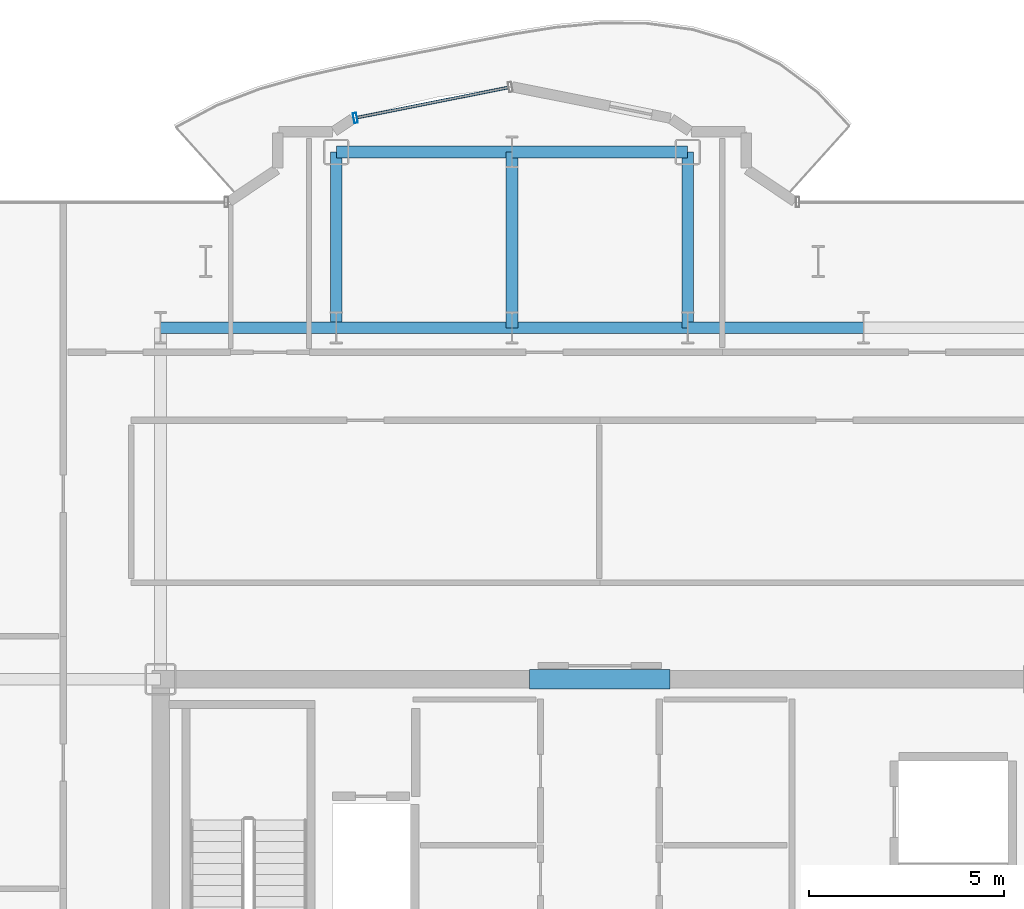
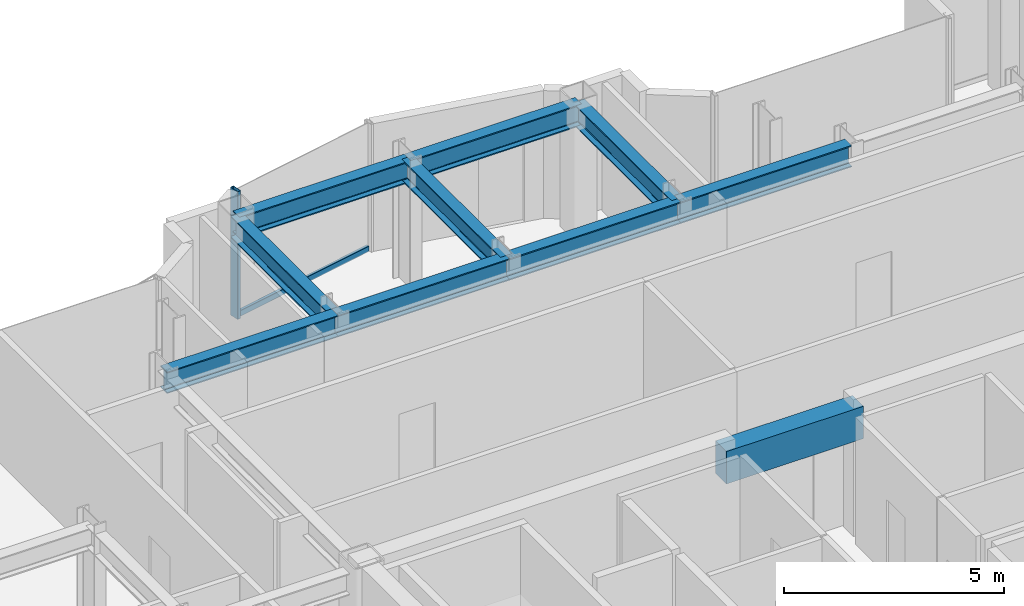
# One storey, part 10 of 22: 10 beams, 2 members, 1 element without a shape of its own.
"""IFC4 building model written with IfcOpenShell, lengths in metres."""

from ifc_helpers import new_model, si_unit, direction, frame, origin, origin_2d, place, context, subcontext, project, spatial, rectangle, hollow_rectangle, i_section, extrude, source, transform, mapped, material, layer, layer_set, material_profile, profile_set, type_object, element, aggregate, save


model = new_model("IFC4")

# Units and contexts
model_context = context("Model", 3, precision=1e-05, world=origin(), true_north=direction((0.0, 1.0)))
body_context = subcontext(model_context, "Body", "Model", "MODEL_VIEW")
ifc_project = project(units=[si_unit("LENGTHUNIT", "METRE"), si_unit("AREAUNIT", "SQUARE_METRE"), si_unit("VOLUMEUNIT", "CUBIC_METRE"), si_unit("PLANEANGLEUNIT", "RADIAN"), si_unit("MASSUNIT", "GRAM", prefix="KILO")], contexts=[model_context])

# Site, building, storey
site_placement = place(None, origin())
site = spatial("IfcSite", under=ifc_project, at=site_placement, CompositionType="ELEMENT")
building_placement = place(site_placement, origin())
building = spatial("IfcBuilding", under=site, at=building_placement, Name="Nefas-Gora Pilgrimage Tower", CompositionType="ELEMENT")
storey_placement = place(building_placement, frame((0.0, 0.0, 218.0)))
storey = spatial("IfcBuildingStorey", under=building, at=storey_placement, Name="L54", CompositionType="ELEMENT", Elevation=218.0)

# Beams
ifc_material_1 = material(Name="Concrete C50/60", Category="concrete")
ifc_material_profile_1 = material_profile(ifc_material_1, rectangle(XDim=0.5, YDim=0.89990234375, at=origin_2d()), Name="RC 500x900")
ifc_profile_set_1 = profile_set([ifc_material_profile_1], Name="Concrete C50/60")
beam_type_1 = type_object("IfcBeamType", Name="BM-LIN-RC900", PredefinedType="LINTEL", material=ifc_profile_set_1)
shared_shape_1 = source(origin(), body_context, "Body", "SweptSolid", [
    extrude(rectangle(XDim=0.5, YDim=0.89990234375, at=origin_2d()), origin(), (0.0, 0.0, 1.0), 3.60009765625),
])
beam_placement = place(storey_placement, frame((-1.800048828125, 9.0, 3.10009765625), z_axis=(1.0, 0.0, 0.0), x_axis=(0.0, 1.0, 0.0)))
element("IfcBeam", 1, at=beam_placement, inside=storey, type_object=beam_type_1, Name="L54 Core Coupling Lintel Beam N", PredefinedType="LINTEL", context=body_context, shape_type="MappedRepresentation", body=[
    mapped(shared_shape_1, transform((0.0, 0.0, 0.0), x_axis=(1.0, 0.0, 0.0), y_axis=(0.0, 1.0, 0.0), z_axis=(0.0, 0.0, 1.0), scale=1.0)),
])
ifc_material_2 = material(Name="Steel S355", Category="steel")
ifc_material_profile_2 = material_profile(ifc_material_2, i_section(OverallWidth=0.300048828125, OverallDepth=0.60009765625, WebThickness=0.015380859375, FlangeThickness=0.030029296875, FilletRadius=0.027099609375, at=origin_2d()), Name="HEB 600")
ifc_profile_set_2 = profile_set([ifc_material_profile_2], Name="Steel S355")
beam_type_2 = type_object("IfcBeamType", Name="BM-GIR-HEB600", PredefinedType="BEAM", material=ifc_profile_set_2)
shared_shape_2 = source(origin(), body_context, "Body", "SweptSolid", [
    extrude(i_section(OverallWidth=0.300048828125, OverallDepth=0.60009765625, WebThickness=0.015380859375, FlangeThickness=0.030029296875, FilletRadius=0.027099609375, at=origin_2d()), origin(), (0.0, 0.0, 1.0), 4.5),
])
for number, where, z_axis, x_axis, name in (
    (2, (-11.25, 18.0, 3.25), (1.0, 0.0, 0.0), (0.0, 1.0, 0.0), "L54 G-04 beam"),
    (3, (-6.75, 18.0, 3.25), (0.0, 1.0, 0.0), (-1.0, 0.0, 0.0), "L54 G-04 beam"),
    (4, (-6.75, 18.0, 3.25), (1.0, 0.0, 0.0), (0.0, 1.0, 0.0), "L54 G-04 beam"),
    (5, (-6.75, 22.5, 3.25), (1.0, 0.0, 0.0), (0.0, 1.0, 0.0), "L54 G-04 beam"),
    (6, (-2.25, 18.0, 3.25), (0.0, 1.0, 0.0), (-1.0, 0.0, 0.0), "L54 G-04 beam"),
    (7, (-2.25, 18.0, 3.25), (1.0, 0.0, 0.0), (0.0, 1.0, 0.0), "L54 G-04 beam"),
    (8, (-2.25, 22.5, 3.25), (1.0, 0.0, 0.0), (0.0, 1.0, 0.0), "L54 G-04 beam"),
    (9, (2.25, 18.0, 3.25), (0.0, 1.0, 0.0), (-1.0, 0.0, 0.0), "L54 G-04 beam"),
    (10, (2.25, 18.0, 3.25), (1.0, 0.0, 0.0), (0.0, 1.0, 0.0), "L54 G-04 beam"),
):
    element("IfcBeam", number, at=place(storey_placement, frame(where, z_axis=z_axis, x_axis=x_axis)), inside=storey, type_object=beam_type_2, Name=name, PredefinedType="BEAM", context=body_context, shape_type="MappedRepresentation", body=[
        mapped(shared_shape_2, transform((0.0, 0.0, 0.0), x_axis=(1.0, 0.0, 0.0), y_axis=(0.0, 1.0, 0.0), z_axis=(0.0, 0.0, 1.0), scale=1.0)),
    ])

# Curtain wall, members
ifc_material_3 = material(Name="Dark ceramic-fritted solar-control aluminium-glass curtain wall", Category="aluminium")
ifc_layer = layer(ifc_material_3, 0.219970703125)
ifc_layer_set = layer_set([ifc_layer], Name="Dark ceramic-fritted solar-control aluminium-glass curtain wall")
curtain_wall_type = type_object("IfcCurtainWallType", Name="CW-SYS-5", PredefinedType="NOTDEFINED", material=ifc_layer_set)
curtain_wall_placement = place(storey_placement, origin())
curtain_wall = element("IfcCurtainWall", 11, at=curtain_wall_placement, inside=storey, type_object=curtain_wall_type, Name="L54 Unitised Curtain Wall CW5", PredefinedType="NOTDEFINED")
ifc_material_4 = material(Name="Anodised architectural aluminium", Category="aluminium")
ifc_material_profile_3 = material_profile(ifc_material_4, hollow_rectangle(XDim=0.090087890625, YDim=0.260009765625, WallThickness=0.006103515625, InnerFilletRadius=0.006103515625, OuterFilletRadius=0.011962890625, at=origin_2d()), Name="ALU MULLION 90x260")
ifc_profile_set_3 = profile_set([ifc_material_profile_3], Name="Anodised architectural aluminium")
member_type_1 = type_object("IfcMemberType", Name="CWM-MUL-5", PredefinedType="MULLION", material=ifc_profile_set_3)
shared_shape_3 = source(origin(), body_context, "Body", "SweptSolid", [
    extrude(hollow_rectangle(XDim=0.090087890625, YDim=0.260009765625, WallThickness=0.006103515625, InnerFilletRadius=0.006103515625, OuterFilletRadius=0.011962890625, at=origin_2d()), origin(), (0.0, 0.0, 1.0), 3.550048828125),
])
member_1_placement = place(storey_placement, frame((-6.26318359375, 23.3740234375, 0.0), z_axis=(0.0, 0.0, 1.0), x_axis=(-0.980782896852, -0.195102304554, 0.0)))
member_1 = element("IfcMember", 12, at=member_1_placement, type_object=member_type_1, Name="CW5 Mullion 2", PredefinedType="MULLION", context=body_context, shape_type="MappedRepresentation", body=[
    mapped(shared_shape_3, transform((0.0, 0.0, 0.0), x_axis=(1.0, 0.0, 0.0), y_axis=(0.0, 1.0, 0.0), z_axis=(0.0, 0.0, 1.0), scale=1.0)),
])
ifc_material_profile_4 = material_profile(ifc_material_4, hollow_rectangle(XDim=0.080078125, YDim=0.159912109375, WallThickness=0.00439453125, InnerFilletRadius=0.00439453125, OuterFilletRadius=0.009033203125, at=origin_2d()), Name="ALU TRANSOM 80x160")
ifc_profile_set_4 = profile_set([ifc_material_profile_4], Name="Anodised architectural aluminium")
member_type_2 = type_object("IfcMemberType", Name="CWM-TRN-5", PredefinedType="USERDEFINED", material=ifc_profile_set_4)
shared_shape_4 = source(origin(), body_context, "Body", "SweptSolid", [
    extrude(hollow_rectangle(XDim=0.080078125, YDim=0.159912109375, WallThickness=0.00439453125, InnerFilletRadius=0.00439453125, OuterFilletRadius=0.009033203125, at=origin_2d()), origin(), (0.0, 0.0, 1.0), 3.95654296875),
])
member_2_placement = place(storey_placement, frame((-2.33837890625, 24.15478515625, 0.050048828125), z_axis=(-0.980781880918, -0.195107411605, 0.0), x_axis=(0.195107411605, -0.980781880918, 0.0)))
member_2 = element("IfcMember", 13, at=member_2_placement, type_object=member_type_2, Name="CW5 Spandrel Transom", ObjectType="TRANSOM", PredefinedType="USERDEFINED", context=body_context, shape_type="MappedRepresentation", body=[
    mapped(shared_shape_4, transform((0.0, 0.0, 0.0), x_axis=(1.0, 0.0, 0.0), y_axis=(0.0, 1.0, 0.0), z_axis=(0.0, 0.0, 1.0), scale=1.0)),
])
aggregate(curtain_wall, [member_1, member_2])

save(model, "model.ifc")
